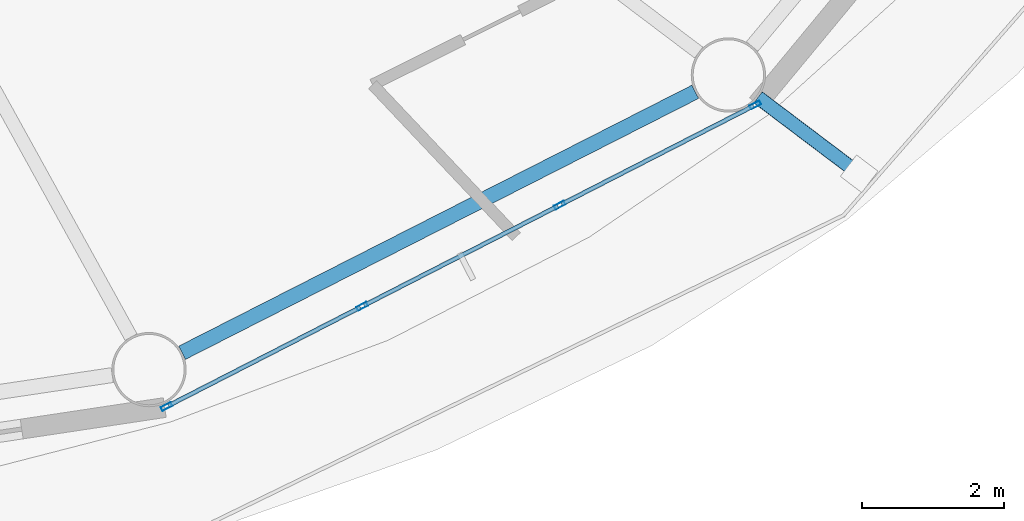
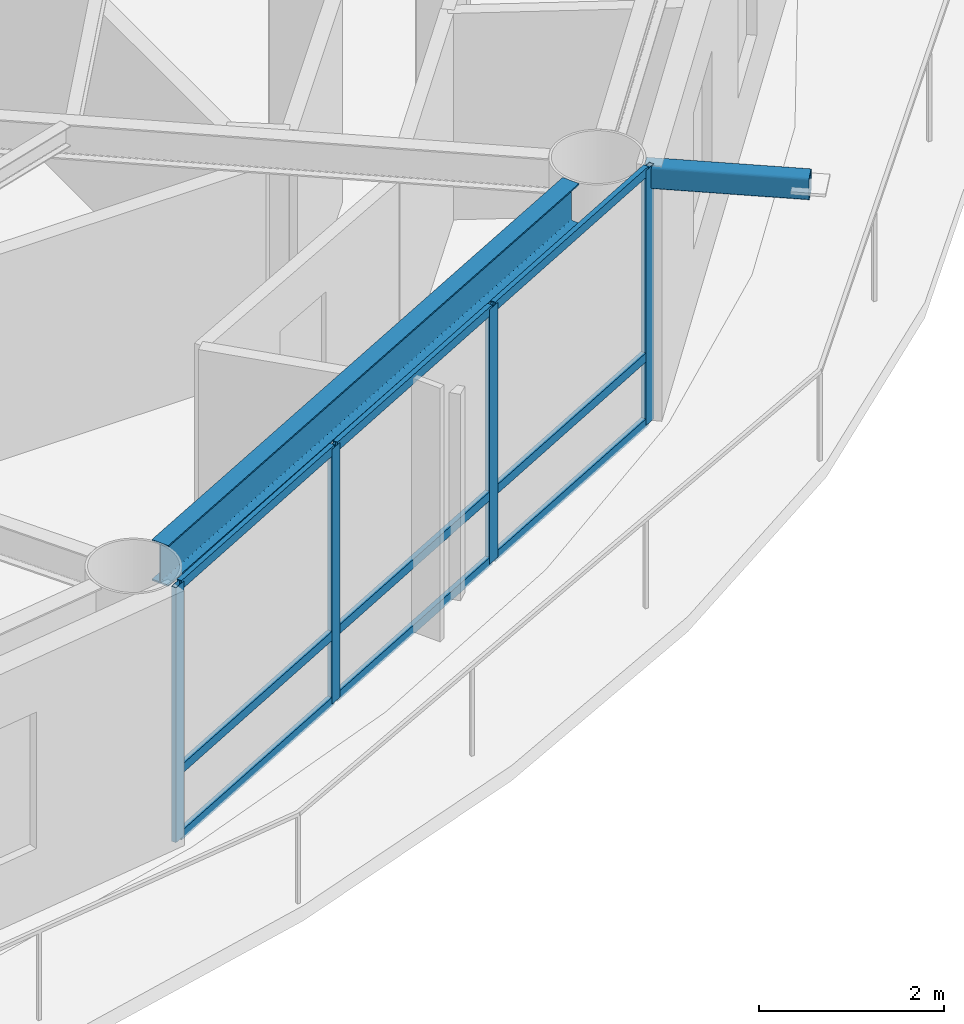
# One storey, part 5 of 23: 14 members, 1 beam, 1 element without a shape of its own.
"""IFC4 building model written with IfcOpenShell, lengths in metres."""

from ifc_helpers import new_model, si_unit, direction, frame, origin, origin_2d, place, context, subcontext, project, spatial, hollow_rectangle, i_section, extrude, material, layer, layer_set, material_profile, profile_set, type_object, element, aggregate, save


model = new_model("IFC4")

# Units and contexts
model_context = context("Model", 3, precision=1e-05, world=origin(), true_north=direction((0.0, 1.0)))
body_context = subcontext(model_context, "Body", "Model", "MODEL_VIEW")
ifc_project = project(units=[si_unit("LENGTHUNIT", "METRE"), si_unit("AREAUNIT", "SQUARE_METRE"), si_unit("VOLUMEUNIT", "CUBIC_METRE"), si_unit("PLANEANGLEUNIT", "RADIAN"), si_unit("MASSUNIT", "GRAM", prefix="KILO")], contexts=[model_context])

# Site, building, storey
site_placement = place(None, origin())
site = spatial("IfcSite", under=ifc_project, at=site_placement, CompositionType="ELEMENT")
building_placement = place(site_placement, origin())
building = spatial("IfcBuilding", under=site, at=building_placement, Name="Sarneth Arch Tower", CompositionType="ELEMENT")
storey_placement = place(building_placement, frame((0.0, 0.0, 246.0)))
storey = spatial("IfcBuildingStorey", under=building, at=storey_placement, Name="L63", CompositionType="ELEMENT", Elevation=246.0)

# Beam
ifc_material_1 = material(Name="Steel S355", Category="steel")
ifc_material_profile_1 = material_profile(ifc_material_1, i_section(OverallWidth=0.2109375, OverallDepth=0.5390625, WebThickness=0.01171875, FlangeThickness=0.018798828125, FilletRadius=0.01806640625, at=origin_2d()), Name="W530x109")
ifc_profile_set_1 = profile_set([ifc_material_profile_1], Name="Steel S355")
beam_type = type_object("IfcBeamType", Name="BM-RAD-530B", PredefinedType="BEAM", material=ifc_profile_set_1)
beam_placement = place(storey_placement, frame((58.2587890625, 24.49951171875, 3.090576171875), z_axis=(0.891368271482, 0.453279830342, 0.0), x_axis=(-0.453279830342, 0.891368271482, 0.0)))
element("IfcBeam", 1, at=beam_placement, inside=storey, type_object=beam_type, Name="L63 Perimeter spandrel beam 14", PredefinedType="BEAM", context=body_context, shape_type="SweptSolid", body=[
    extrude(i_section(OverallWidth=0.2109375, OverallDepth=0.5390625, WebThickness=0.01171875, FlangeThickness=0.018798828125, FilletRadius=0.01806640625, at=origin_2d()), origin(), (0.0, 0.0, 1.0), 8.1318359375),
])

# Curtain wall, members
ifc_material_2 = material(Name="Anodised aluminium Type AA25 and solar-control low-e laminated IGU", Category="aluminium")
ifc_layer = layer(ifc_material_2, 0.179931640625)
ifc_layer_set = layer_set([ifc_layer], Name="Anodised aluminium Type AA25 and solar-control low-e laminated IGU")
curtain_wall_type = type_object("IfcCurtainWallType", Name="CW-RES-HIGH", PredefinedType="NOTDEFINED", material=ifc_layer_set)
curtain_wall_placement = place(storey_placement, origin())
curtain_wall = element("IfcCurtainWall", 2, at=curtain_wall_placement, inside=storey, type_object=curtain_wall_type, Name="L63 Unitised curtain wall facet 14", PredefinedType="NOTDEFINED")
ifc_material_3 = material(Name="Anodised Aluminium 6063-T6", Category="aluminium")
ifc_material_profile_2 = material_profile(ifc_material_3, hollow_rectangle(XDim=0.06005859375, YDim=0.159912109375, WallThickness=0.00390625, at=origin_2d()), Name="AL-MULL-160x60x4")
ifc_profile_set_2 = profile_set([ifc_material_profile_2], Name="Anodised Aluminium 6063-T6")
member_type_1 = type_object("IfcMemberType", Name="CW-MULLION", PredefinedType="MULLION", material=ifc_profile_set_2)
member_1_placement = place(storey_placement, frame((58.039306640625, 23.7392578125, 0.0), z_axis=(0.0, 0.0, 1.0), x_axis=(-0.455941901753, 0.890009540525, 0.0)))
member_1 = element("IfcMember", 3, at=member_1_placement, type_object=member_type_1, Name="CW-SYS-6 mullion 1", PredefinedType="MULLION", context=body_context, shape_type="SweptSolid", body=[
    extrude(hollow_rectangle(XDim=0.06005859375, YDim=0.159912109375, WallThickness=0.00390625, at=origin_2d()), origin(), (0.0, 0.0, 1.0), 3.360107421875),
])
member_2_placement = place(storey_placement, frame((60.802490234375, 25.155029296875, 0.0), z_axis=(0.0, 0.0, 1.0), x_axis=(-0.455941901753, 0.890009540525, 0.0)))
member_2 = element("IfcMember", 4, at=member_2_placement, type_object=member_type_1, Name="CW-SYS-6 mullion 2", PredefinedType="MULLION", context=body_context, shape_type="SweptSolid", body=[
    extrude(hollow_rectangle(XDim=0.06005859375, YDim=0.159912109375, WallThickness=0.00390625, at=origin_2d()), origin(), (0.0, 0.0, 1.0), 3.360107421875),
])
member_3_placement = place(storey_placement, frame((63.592529296875, 26.584228515625, 0.0), z_axis=(0.0, 0.0, 1.0), x_axis=(-0.455941901753, 0.890009540525, 0.0)))
member_3 = element("IfcMember", 5, at=member_3_placement, type_object=member_type_1, Name="CW-SYS-6 mullion 3", PredefinedType="MULLION", context=body_context, shape_type="SweptSolid", body=[
    extrude(hollow_rectangle(XDim=0.06005859375, YDim=0.159912109375, WallThickness=0.00390625, at=origin_2d()), origin(), (0.0, 0.0, 1.0), 3.360107421875),
])
member_4_placement = place(storey_placement, frame((66.355712890625, 27.999755859375, 0.0), z_axis=(0.0, 0.0, 1.0), x_axis=(-0.455941901753, 0.890009540525, 0.0)))
member_4 = element("IfcMember", 6, at=member_4_placement, type_object=member_type_1, Name="CW-SYS-6 mullion 4", PredefinedType="MULLION", context=body_context, shape_type="SweptSolid", body=[
    extrude(hollow_rectangle(XDim=0.06005859375, YDim=0.159912109375, WallThickness=0.00390625, at=origin_2d()), origin(), (0.0, 0.0, 1.0), 3.360107421875),
])
ifc_material_4 = material(Name="Anodised Aluminium 6063-T6", Category="aluminium")
ifc_material_profile_3 = material_profile(ifc_material_4, hollow_rectangle(XDim=0.06005859375, YDim=0.1201171875, WallThickness=0.00390625, at=origin_2d()), Name="AL-TRAN-120x60x4")
ifc_profile_set_3 = profile_set([ifc_material_profile_3], Name="Anodised Aluminium 6063-T6")
member_type_2 = type_object("IfcMemberType", Name="CW-TRANSOM", PredefinedType="USERDEFINED", material=ifc_profile_set_3)
member_5_placement = place(storey_placement, frame((58.066162109375, 23.7529296875, 0.030029296875), z_axis=(0.889973523166, 0.456012201662, 0.0), x_axis=(-0.456012201662, 0.889973523166, 0.0)))
member_5 = element("IfcMember", 7, at=member_5_placement, type_object=member_type_2, Name="CW-SYS-6 transom 1.1", ObjectType="TRANSOM", PredefinedType="USERDEFINED", context=body_context, shape_type="SweptSolid", body=[
    extrude(hollow_rectangle(XDim=0.06005859375, YDim=0.1201171875, WallThickness=0.00390625, at=origin_2d()), origin(), (0.0, 0.0, 1.0), 3.044677734375),
])
member_6_placement = place(storey_placement, frame((58.066162109375, 23.7529296875, 0.89990234375), z_axis=(0.889973523166, 0.456012201662, 0.0), x_axis=(-0.456012201662, 0.889973523166, 0.0)))
member_6 = element("IfcMember", 8, at=member_6_placement, type_object=member_type_2, Name="CW-SYS-6 transom 1.2", ObjectType="TRANSOM", PredefinedType="USERDEFINED", context=body_context, shape_type="SweptSolid", body=[
    extrude(hollow_rectangle(XDim=0.06005859375, YDim=0.1201171875, WallThickness=0.00390625, at=origin_2d()), origin(), (0.0, 0.0, 1.0), 3.044677734375),
])
member_7_placement = place(storey_placement, frame((58.066162109375, 23.7529296875, 3.330078125), z_axis=(0.889973523166, 0.456012201662, 0.0), x_axis=(-0.456012201662, 0.889973523166, 0.0)))
member_7 = element("IfcMember", 9, at=member_7_placement, type_object=member_type_2, Name="CW-SYS-6 transom 1.3", ObjectType="TRANSOM", PredefinedType="USERDEFINED", context=body_context, shape_type="SweptSolid", body=[
    extrude(hollow_rectangle(XDim=0.06005859375, YDim=0.1201171875, WallThickness=0.00390625, at=origin_2d()), origin(), (0.0, 0.0, 1.0), 3.044677734375),
])
member_8_placement = place(storey_placement, frame((60.829345703125, 25.168701171875, 0.030029296875), z_axis=(0.890017432405, 0.455926496286, 0.0), x_axis=(-0.455926496286, 0.890017432405, 0.0)))
member_8 = element("IfcMember", 10, at=member_8_placement, type_object=member_type_2, Name="CW-SYS-6 transom 2.1", ObjectType="TRANSOM", PredefinedType="USERDEFINED", context=body_context, shape_type="SweptSolid", body=[
    extrude(hollow_rectangle(XDim=0.06005859375, YDim=0.1201171875, WallThickness=0.00390625, at=origin_2d()), origin(), (0.0, 0.0, 1.0), 3.07470703125),
])
member_9_placement = place(storey_placement, frame((60.829345703125, 25.168701171875, 0.89990234375), z_axis=(0.890017432405, 0.455926496286, 0.0), x_axis=(-0.455926496286, 0.890017432405, 0.0)))
member_9 = element("IfcMember", 11, at=member_9_placement, type_object=member_type_2, Name="CW-SYS-6 transom 2.2", ObjectType="TRANSOM", PredefinedType="USERDEFINED", context=body_context, shape_type="SweptSolid", body=[
    extrude(hollow_rectangle(XDim=0.06005859375, YDim=0.1201171875, WallThickness=0.00390625, at=origin_2d()), origin(), (0.0, 0.0, 1.0), 3.07470703125),
])
member_10_placement = place(storey_placement, frame((60.829345703125, 25.168701171875, 3.330078125), z_axis=(0.890017432405, 0.455926496286, 0.0), x_axis=(-0.455926496286, 0.890017432405, 0.0)))
member_10 = element("IfcMember", 12, at=member_10_placement, type_object=member_type_2, Name="CW-SYS-6 transom 2.3", ObjectType="TRANSOM", PredefinedType="USERDEFINED", context=body_context, shape_type="SweptSolid", body=[
    extrude(hollow_rectangle(XDim=0.06005859375, YDim=0.1201171875, WallThickness=0.00390625, at=origin_2d()), origin(), (0.0, 0.0, 1.0), 3.07470703125),
])
member_11_placement = place(storey_placement, frame((63.619140625, 26.597900390625, 0.030029296875), z_axis=(0.890022732705, 0.455916149384, 0.0), x_axis=(-0.455916149384, 0.890022732705, 0.0)))
member_11 = element("IfcMember", 13, at=member_11_placement, type_object=member_type_2, Name="CW-SYS-6 transom 3.1", ObjectType="TRANSOM", PredefinedType="USERDEFINED", context=body_context, shape_type="SweptSolid", body=[
    extrude(hollow_rectangle(XDim=0.06005859375, YDim=0.1201171875, WallThickness=0.00390625, at=origin_2d()), origin(), (0.0, 0.0, 1.0), 3.044921875),
])
member_12_placement = place(storey_placement, frame((63.619140625, 26.597900390625, 0.89990234375), z_axis=(0.890022732705, 0.455916149384, 0.0), x_axis=(-0.455916149384, 0.890022732705, 0.0)))
member_12 = element("IfcMember", 14, at=member_12_placement, type_object=member_type_2, Name="CW-SYS-6 transom 3.2", ObjectType="TRANSOM", PredefinedType="USERDEFINED", context=body_context, shape_type="SweptSolid", body=[
    extrude(hollow_rectangle(XDim=0.06005859375, YDim=0.1201171875, WallThickness=0.00390625, at=origin_2d()), origin(), (0.0, 0.0, 1.0), 3.044921875),
])
member_13_placement = place(storey_placement, frame((63.619140625, 26.597900390625, 3.330078125), z_axis=(0.890022732705, 0.455916149384, 0.0), x_axis=(-0.455916149384, 0.890022732705, 0.0)))
member_13 = element("IfcMember", 15, at=member_13_placement, type_object=member_type_2, Name="CW-SYS-6 transom 3.3", ObjectType="TRANSOM", PredefinedType="USERDEFINED", context=body_context, shape_type="SweptSolid", body=[
    extrude(hollow_rectangle(XDim=0.06005859375, YDim=0.1201171875, WallThickness=0.00390625, at=origin_2d()), origin(), (0.0, 0.0, 1.0), 3.044921875),
])
aggregate(curtain_wall, [member_1, member_2, member_3, member_4, member_5, member_6, member_7, member_8, member_9, member_10, member_11, member_12, member_13])

# Member
ifc_material_5 = material(Name="Steel S355", Category="steel")
ifc_material_profile_4 = material_profile(ifc_material_5, hollow_rectangle(XDim=0.199951171875, YDim=0.300048828125, WallThickness=0.012451171875, InnerFilletRadius=0.018798828125, OuterFilletRadius=0.03125, at=origin_2d()), Name="RHS300x200x12.5")
ifc_profile_set_4 = profile_set([ifc_material_profile_4], Name="Steel S355")
member_type_3 = type_object("IfcMemberType", Name="MEM-CANT-STRUT", PredefinedType="STRUT", material=ifc_profile_set_4)
member_14_placement = place(storey_placement, frame((66.39404296875, 28.107177734375, 3.199951171875), z_axis=(0.797966420169, -0.602701909971, 0.0), x_axis=(0.602701909971, 0.797966420169, 0.0)))
element("IfcMember", 16, at=member_14_placement, inside=storey, type_object=member_type_3, Name="L63 Balcony cantilever bracket 15", PredefinedType="STRUT", context=body_context, shape_type="SweptSolid", body=[
    extrude(hollow_rectangle(XDim=0.199951171875, YDim=0.300048828125, WallThickness=0.012451171875, InnerFilletRadius=0.018798828125, OuterFilletRadius=0.03125, at=origin_2d()), origin(), (0.0, 0.0, 1.0), 1.79052734375),
])

save(model, "model.ifc")
